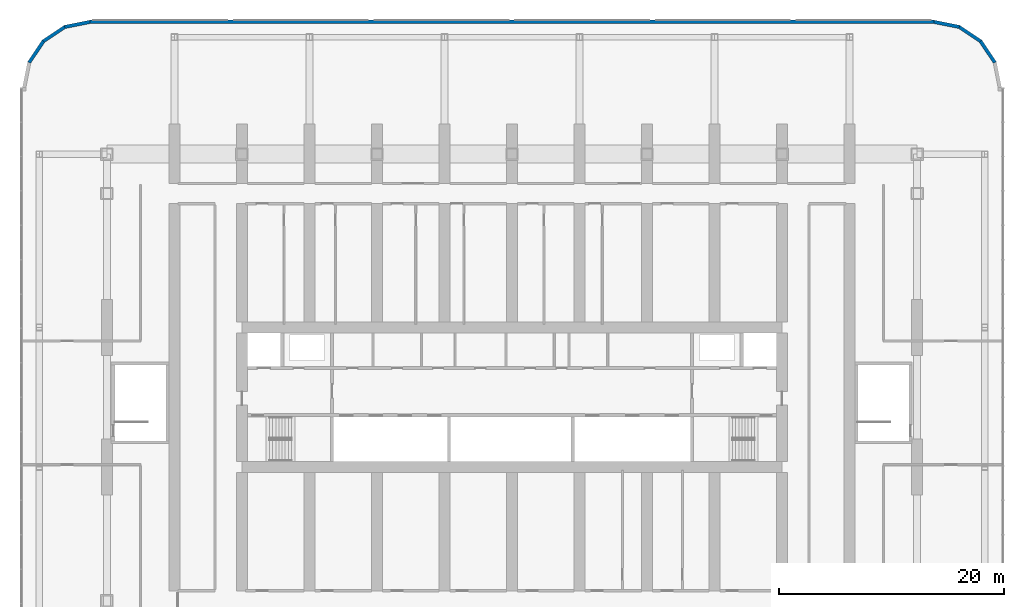
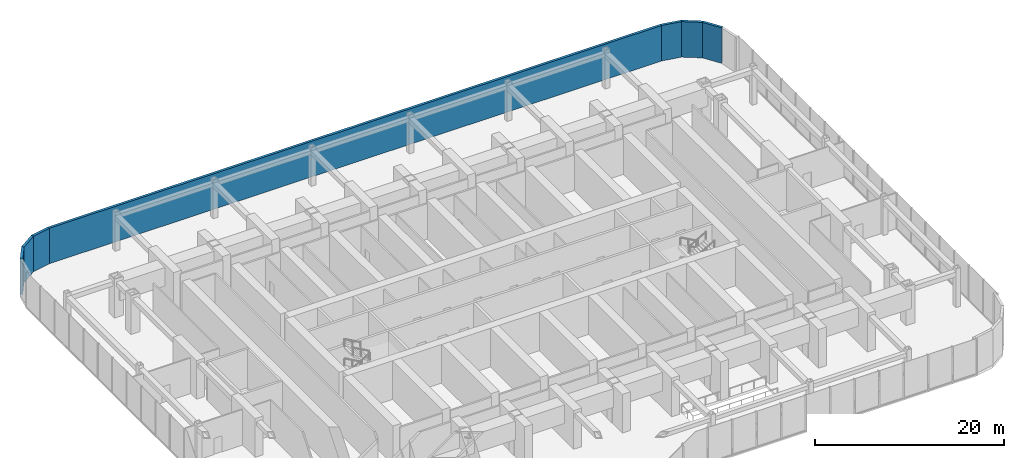
# One storey, part 17 of 26: 7 walls.
"""IFC4 building model written with IfcOpenShell, lengths in metres."""

from ifc_helpers import new_model, si_unit, direction, frame, frame_2d, origin, place, context, subcontext, project, spatial, polyline, rectangle, outline, extrude, material, layer, layer_set, type_object, element, save


model = new_model("IFC4")

# Units and contexts
model_context = context("Model", 3, precision=1e-05, world=origin(), true_north=direction((0.0, 1.0)))
body_context = subcontext(model_context, "Body", "Model", "MODEL_VIEW")
ifc_project = project(units=[si_unit("LENGTHUNIT", "METRE"), si_unit("AREAUNIT", "SQUARE_METRE"), si_unit("VOLUMEUNIT", "CUBIC_METRE"), si_unit("PLANEANGLEUNIT", "RADIAN"), si_unit("MASSUNIT", "GRAM", prefix="KILO")], contexts=[model_context])

# Site, building, storey
site_placement = place(None, origin())
site = spatial("IfcSite", under=ifc_project, at=site_placement, CompositionType="ELEMENT")
building_placement = place(site_placement, origin())
building = spatial("IfcBuilding", under=site, at=building_placement, Name="Orbita Commons", CompositionType="ELEMENT")
storey_placement = place(building_placement, frame((0.0, 0.0, 11.0)))
storey = spatial("IfcBuildingStorey", under=building, at=storey_placement, Name="L02", CompositionType="ELEMENT", Elevation=11.0)

# Walls
ifc_material = material(Name="Precast concrete C40/50, white board-marked finish", Category="concrete")
ifc_layer = layer(ifc_material, 0.300048828125)
ifc_layer_set = layer_set([ifc_layer], Name="Precast concrete C40/50, white board-marked finish")
wall_type = type_object("IfcWallType", Name="Precast concrete end shield 300", PredefinedType="SOLIDWALL", material=ifc_layer_set)
wall_placement = place(storey_placement, frame((79.5, 65.35009765625, 0.0), z_axis=(0.0, 0.0, 1.0), x_axis=(-1.0, 0.0, 0.0)))
element("IfcWall", 1, at=wall_placement, inside=storey, type_object=wall_type, Name="Podium north wall L02", PredefinedType="SOLIDWALL", context=body_context, shape_type="SweptSolid", body=[
    extrude(rectangle(XDim=75.0, YDim=0.300048828125, at=frame_2d((37.5, 0.0))), origin(), (0.0, 0.0, 1.0), 4.60009765625),
])
for number, where, z_axis, x_axis, name in (
    (2, (84.90478515625, 61.73876953125, 0.0), (0.0, 0.0, 1.0), (-0.555539121903, 0.831490399244, 0.0), "Podium corner wall NE 2 L02"),
    (3, (83.63671875, 63.63671875, 0.0), (0.0, 0.0, 1.0), (-0.831490399244, 0.555539121903, 0.0), "Podium corner wall NE 3 L02"),
):
    element("IfcWall", number, at=place(storey_placement, frame(where, z_axis=z_axis, x_axis=x_axis)), inside=storey, type_object=wall_type, Name=name, PredefinedType="SOLIDWALL", context=body_context, shape_type="SweptSolid", body=[
        extrude(outline(polyline([(-0.02978515625, -0.14990234375), (2.312255859375, -0.14990234375), (2.252685546875, 0.14990234375), (0.02978515625, 0.14990234375), (-0.02978515625, -0.14990234375)])), origin(), (0.0, 0.0, 1.0), 4.60009765625),
    ])
for number, where, z_axis, x_axis, name in (
    (4, (81.73876953125, 64.90478515625, 0.0), (0.0, 0.0, 1.0), (-0.98078582086, 0.195087604935, 0.0), "Podium corner wall NE 4 L02"),
    (5, (4.5, 65.35009765625, 0.0), (0.0, 0.0, 1.0), (-0.98078582086, -0.195087604935, 0.0), "Podium corner wall NW 1 L02"),
):
    element("IfcWall", number, at=place(storey_placement, frame(where, z_axis=z_axis, x_axis=x_axis)), inside=storey, type_object=wall_type, Name=name, PredefinedType="SOLIDWALL", context=body_context, shape_type="SweptSolid", body=[
        extrude(outline(polyline([(-0.02978515625, -0.14990234375), (2.3125, -0.14990234375), (2.2529296875, 0.14990234375), (0.02978515625, 0.14990234375), (-0.02978515625, -0.14990234375)])), origin(), (0.0, 0.0, 1.0), 4.60009765625),
    ])
for number, where, z_axis, x_axis, name in (
    (6, (2.26123046875, 64.90478515625, 0.0), (0.0, 0.0, 1.0), (-0.831490399244, -0.555539121903, 0.0), "Podium corner wall NW 2 L02"),
    (7, (0.36328125, 63.63671875, 0.0), (0.0, 0.0, 1.0), (-0.555539121903, -0.831490399244, 0.0), "Podium corner wall NW 3 L02"),
):
    element("IfcWall", number, at=place(storey_placement, frame(where, z_axis=z_axis, x_axis=x_axis)), inside=storey, type_object=wall_type, Name=name, PredefinedType="SOLIDWALL", context=body_context, shape_type="SweptSolid", body=[
        extrude(outline(polyline([(-0.02978515625, -0.14990234375), (2.312255859375, -0.14990234375), (2.252685546875, 0.14990234375), (0.02978515625, 0.14990234375), (-0.02978515625, -0.14990234375)])), origin(), (0.0, 0.0, 1.0), 4.60009765625),
    ])

save(model, "model.ifc")
